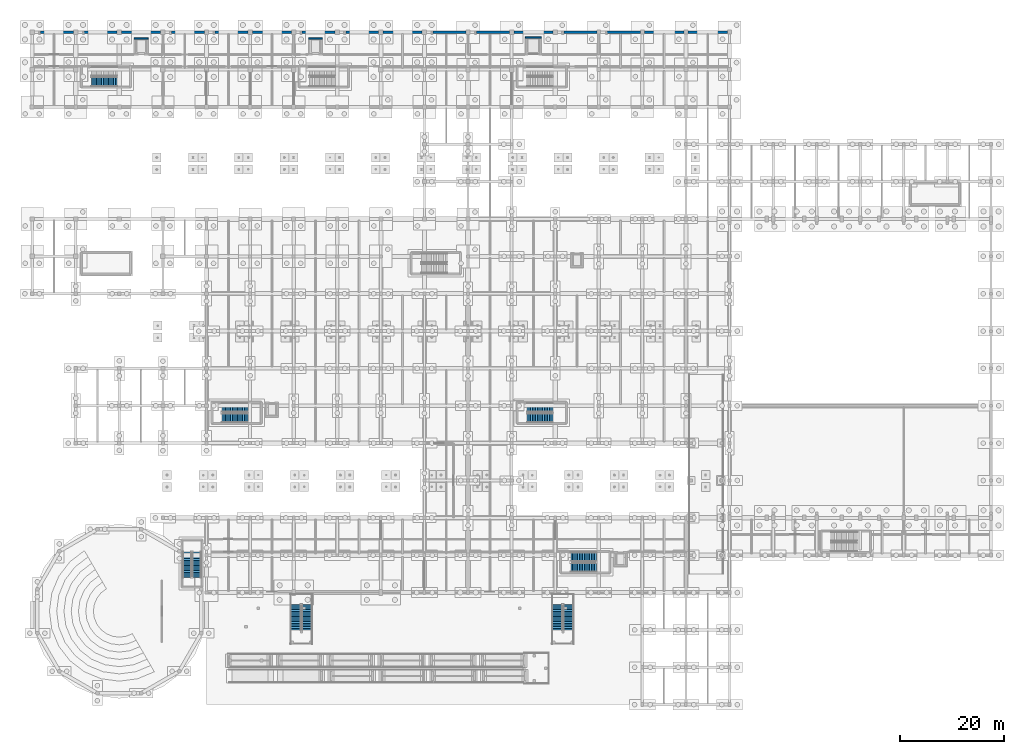
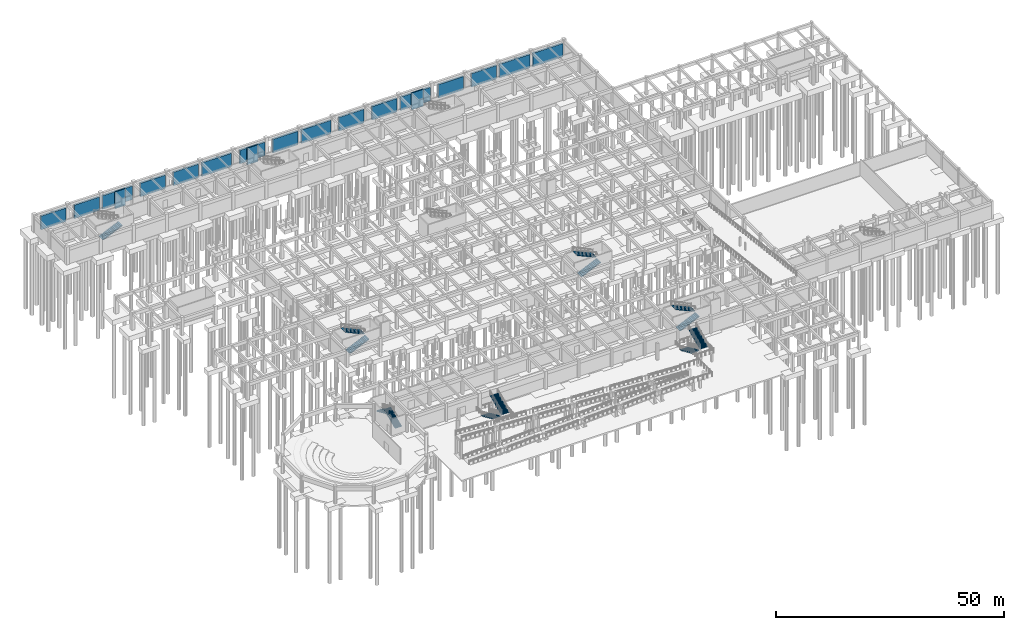
# One storey, part 65 of 80: 19 walls, 13 stair flights, 7 elements without a shape of their own.
"""IFC4 building model written with IfcOpenShell, lengths in metres."""

from ifc_helpers import new_model, si_unit, direction, frame, frame_2d, origin, place, context, subcontext, project, spatial, polyline, rectangle, outline, extrude, material, layer, layer_set, type_object, element, aggregate, save


model = new_model("IFC4")

# Units and contexts
model_context = context("Model", 3, precision=1e-05, world=origin(), true_north=direction((0.0, 1.0)))
body_context = subcontext(model_context, "Body", "Model", "MODEL_VIEW")
ifc_project = project(units=[si_unit("LENGTHUNIT", "METRE"), si_unit("AREAUNIT", "SQUARE_METRE"), si_unit("VOLUMEUNIT", "CUBIC_METRE"), si_unit("PLANEANGLEUNIT", "RADIAN"), si_unit("MASSUNIT", "GRAM", prefix="KILO")], contexts=[model_context])

# Site, building, storey
site_placement = place(None, origin())
site = spatial("IfcSite", under=ifc_project, at=site_placement, CompositionType="ELEMENT")
building_placement = place(site_placement, origin())
building = spatial("IfcBuilding", under=site, at=building_placement, Name="Malvenik Polytechnic", CompositionType="ELEMENT")
storey_placement = place(building_placement, frame((0.0, 0.0, -4.800048828125)))
storey = spatial("IfcBuildingStorey", under=building, at=storey_placement, Name="B1", CompositionType="ELEMENT", Elevation=-4.800048828125)

# Walls
ifc_material = material(Name="Concrete C35/45", Category="concrete")
ifc_layer_1 = layer(ifc_material, 0.280029296875)
ifc_layer_set_1 = layer_set([ifc_layer_1], Name="Concrete C35/45")
wall_type_1 = type_object("IfcWallType", Name="ARC-CW-S280", PredefinedType="SHEAR", material=ifc_layer_set_1)
wall_1_placement = place(storey_placement, frame((19.659912109375, 128.35009765625, 0.0), z_axis=(0.0, 0.0, 1.0), x_axis=(1.0, 0.0, 0.0)))
element("IfcWall", 1, at=wall_1_placement, inside=storey, type_object=wall_type_1, Name="Lift Shaft Shear Wall LS-01 B1 +Y", PredefinedType="SHEAR", context=body_context, shape_type="SweptSolid", body=[
    extrude(rectangle(XDim=2.68017578125, YDim=0.280029296875, at=frame_2d((1.340087890625, 0.0))), origin(), (0.0, 0.0, 1.0), 4.5),
])
wall_2_placement = place(storey_placement, frame((53.260009765625, 128.35009765625, 0.0), z_axis=(0.0, 0.0, 1.0), x_axis=(1.0, 0.0, 0.0)))
element("IfcWall", 2, at=wall_2_placement, inside=storey, type_object=wall_type_1, Name="Lift Shaft Shear Wall LS-02 B1 +Y", PredefinedType="SHEAR", context=body_context, shape_type="SweptSolid", body=[
    extrude(rectangle(XDim=2.679931640625, YDim=0.280029296875, at=frame_2d((1.33984375, 0.0))), origin(), (0.0, 0.0, 1.0), 4.5),
])
wall_3_placement = place(storey_placement, frame((95.06005859375, 128.550048828125, 0.0), z_axis=(0.0, 0.0, 1.0), x_axis=(1.0, 0.0, 0.0)))
element("IfcWall", 3, at=wall_3_placement, inside=storey, type_object=wall_type_1, Name="Lift Shaft Shear Wall LG-01 B1 +Y", PredefinedType="SHEAR", context=body_context, shape_type="SweptSolid", body=[
    extrude(rectangle(XDim=3.079833984375, YDim=0.280029296875, at=frame_2d((1.5400390625, 0.0))), origin(), (0.0, 0.0, 1.0), 4.5),
])
ifc_layer_2 = layer(ifc_material, 0.449951171875)
ifc_layer_set_2 = layer_set([ifc_layer_2], Name="Concrete C35/45")
wall_type_2 = type_object("IfcWallType", Name="STR-WL-RET-450", PredefinedType="SHEAR", material=ifc_layer_set_2)
wall_4_placement = place(storey_placement, frame((1.625, 129.60009765625, 0.0), z_axis=(0.0, 0.0, 1.0), x_axis=(1.0, 0.0, 0.0)))
element("IfcWall", 4, at=wall_4_placement, inside=storey, type_object=wall_type_2, Name="Basement Retaining Wall RW-450 #1", PredefinedType="SHEAR", context=body_context, shape_type="SweptSolid", body=[
    extrude(rectangle(XDim=6.344970703125, YDim=0.449951171875, at=frame_2d((3.17236328125, 0.0))), origin(), (0.0, 0.0, 1.0), 3.64013671875),
])
wall_5_placement = place(storey_placement, frame((10.014892578125, 129.60009765625, 0.0), z_axis=(0.0, 0.0, 1.0), x_axis=(1.0, 0.0, 0.0)))
element("IfcWall", 5, at=wall_5_placement, inside=storey, type_object=wall_type_2, Name="Basement Retaining Wall RW-450 #2", PredefinedType="SHEAR", context=body_context, shape_type="SweptSolid", body=[
    extrude(rectangle(XDim=6.355224609375, YDim=0.449951171875, at=frame_2d((3.177734375, 0.0))), origin(), (0.0, 0.0, 1.0), 3.64013671875),
])
wall_6_placement = place(storey_placement, frame((17.22998046875, 129.60009765625, 0.0), z_axis=(0.0, 0.0, 1.0), x_axis=(1.0, 0.0, 0.0)))
element("IfcWall", 6, at=wall_6_placement, inside=storey, type_object=wall_type_2, Name="Basement Retaining Wall RW-450 #3", PredefinedType="SHEAR", context=body_context, shape_type="SweptSolid", body=[
    extrude(rectangle(XDim=7.5400390625, YDim=0.449951171875, at=frame_2d((3.77001953125, 0.0))), origin(), (0.0, 0.0, 1.0), 3.64013671875),
])
wall_7_placement = place(storey_placement, frame((26.85009765625, 129.60009765625, 0.0), z_axis=(0.0, 0.0, 1.0), x_axis=(1.0, 0.0, 0.0)))
element("IfcWall", 7, at=wall_7_placement, inside=storey, type_object=wall_type_2, Name="Basement Retaining Wall RW-450 #4", PredefinedType="SHEAR", context=body_context, shape_type="SweptSolid", body=[
    extrude(rectangle(XDim=6.31982421875, YDim=0.449951171875, at=frame_2d((3.159912109375, 0.0))), origin(), (0.0, 0.0, 1.0), 3.64013671875),
])
wall_8_placement = place(storey_placement, frame((35.22509765625, 129.60009765625, 0.0), z_axis=(0.0, 0.0, 1.0), x_axis=(1.0, 0.0, 0.0)))
element("IfcWall", 8, at=wall_8_placement, inside=storey, type_object=wall_type_2, Name="Basement Retaining Wall RW-450 #5", PredefinedType="SHEAR", context=body_context, shape_type="SweptSolid", body=[
    extrude(rectangle(XDim=6.344970703125, YDim=0.449951171875, at=frame_2d((3.17236328125, 0.0))), origin(), (0.0, 0.0, 1.0), 3.64013671875),
])
wall_9_placement = place(storey_placement, frame((42.429931640625, 129.60009765625, 0.0), z_axis=(0.0, 0.0, 1.0), x_axis=(1.0, 0.0, 0.0)))
element("IfcWall", 9, at=wall_9_placement, inside=storey, type_object=wall_type_2, Name="Basement Retaining Wall RW-450 #6", PredefinedType="SHEAR", context=body_context, shape_type="SweptSolid", body=[
    extrude(rectangle(XDim=7.5400390625, YDim=0.449951171875, at=frame_2d((3.77001953125, 0.0))), origin(), (0.0, 0.0, 1.0), 3.64013671875),
])
wall_10_placement = place(storey_placement, frame((52.014892578125, 129.60009765625, 0.0), z_axis=(0.0, 0.0, 1.0), x_axis=(1.0, 0.0, 0.0)))
element("IfcWall", 10, at=wall_10_placement, inside=storey, type_object=wall_type_2, Name="Basement Retaining Wall RW-450 #7", PredefinedType="SHEAR", context=body_context, shape_type="SweptSolid", body=[
    extrude(rectangle(XDim=6.355224609375, YDim=0.449951171875, at=frame_2d((3.177734375, 0.0))), origin(), (0.0, 0.0, 1.0), 3.64013671875),
])
wall_11_placement = place(storey_placement, frame((60.449951171875, 129.60009765625, 0.0), z_axis=(0.0, 0.0, 1.0), x_axis=(1.0, 0.0, 0.0)))
element("IfcWall", 11, at=wall_11_placement, inside=storey, type_object=wall_type_2, Name="Basement Retaining Wall RW-450 #8", PredefinedType="SHEAR", context=body_context, shape_type="SweptSolid", body=[
    extrude(rectangle(XDim=6.320068359375, YDim=0.449951171875, at=frame_2d((3.16015625, 0.0))), origin(), (0.0, 0.0, 1.0), 3.64013671875),
])
wall_12_placement = place(storey_placement, frame((67.6298828125, 129.60009765625, 0.0), z_axis=(0.0, 0.0, 1.0), x_axis=(1.0, 0.0, 0.0)))
element("IfcWall", 12, at=wall_12_placement, inside=storey, type_object=wall_type_2, Name="Basement Retaining Wall RW-450 #9", PredefinedType="SHEAR", context=body_context, shape_type="SweptSolid", body=[
    extrude(rectangle(XDim=7.5400390625, YDim=0.449951171875, at=frame_2d((3.77001953125, 0.0))), origin(), (0.0, 0.0, 1.0), 3.64013671875),
])
wall_13_placement = place(storey_placement, frame((77.22509765625, 129.60009765625, 0.0), z_axis=(0.0, 0.0, 1.0), x_axis=(1.0, 0.0, 0.0)))
element("IfcWall", 13, at=wall_13_placement, inside=storey, type_object=wall_type_2, Name="Basement Retaining Wall RW-450 #10", PredefinedType="SHEAR", context=body_context, shape_type="SweptSolid", body=[
    extrude(rectangle(XDim=6.344970703125, YDim=0.449951171875, at=frame_2d((3.17236328125, 0.0))), origin(), (0.0, 0.0, 1.0), 3.64013671875),
])
wall_14_placement = place(storey_placement, frame((85.614990234375, 129.60009765625, 0.0), z_axis=(0.0, 0.0, 1.0), x_axis=(1.0, 0.0, 0.0)))
element("IfcWall", 14, at=wall_14_placement, inside=storey, type_object=wall_type_2, Name="Basement Retaining Wall RW-450 #11", PredefinedType="SHEAR", context=body_context, shape_type="SweptSolid", body=[
    extrude(rectangle(XDim=6.35498046875, YDim=0.449951171875, at=frame_2d((3.177490234375, 0.0))), origin(), (0.0, 0.0, 1.0), 3.64013671875),
])
wall_15_placement = place(storey_placement, frame((92.830078125, 129.60009765625, 0.0), z_axis=(0.0, 0.0, 1.0), x_axis=(1.0, 0.0, 0.0)))
element("IfcWall", 15, at=wall_15_placement, inside=storey, type_object=wall_type_2, Name="Basement Retaining Wall RW-450 #12", PredefinedType="SHEAR", context=body_context, shape_type="SweptSolid", body=[
    extrude(rectangle(XDim=7.5400390625, YDim=0.449951171875, at=frame_2d((3.77001953125, 0.0))), origin(), (0.0, 0.0, 1.0), 3.64013671875),
])
wall_16_placement = place(storey_placement, frame((102.449951171875, 129.60009765625, 0.0), z_axis=(0.0, 0.0, 1.0), x_axis=(1.0, 0.0, 0.0)))
element("IfcWall", 16, at=wall_16_placement, inside=storey, type_object=wall_type_2, Name="Basement Retaining Wall RW-450 #13", PredefinedType="SHEAR", context=body_context, shape_type="SweptSolid", body=[
    extrude(rectangle(XDim=6.3701171875, YDim=0.449951171875, at=frame_2d((3.18505859375, 0.0))), origin(), (0.0, 0.0, 1.0), 3.64013671875),
])
wall_17_placement = place(storey_placement, frame((110.824951171875, 129.60009765625, 0.0), z_axis=(0.0, 0.0, 1.0), x_axis=(1.0, 0.0, 0.0)))
element("IfcWall", 17, at=wall_17_placement, inside=storey, type_object=wall_type_2, Name="Basement Retaining Wall RW-450 #14", PredefinedType="SHEAR", context=body_context, shape_type="SweptSolid", body=[
    extrude(rectangle(XDim=6.39501953125, YDim=0.449951171875, at=frame_2d((3.197509765625, 0.0))), origin(), (0.0, 0.0, 1.0), 3.64013671875),
])
for number, where, z_axis, x_axis, name in (
    (18, (117.97998046875, 129.60009765625, 0.0), (0.0, 0.0, 1.0), (1.0, 0.0, 0.0), "Basement Retaining Wall RW-450 #15"),
    (19, (126.3798828125, 129.60009765625, 0.0), (0.0, 0.0, 1.0), (1.0, 0.0, 0.0), "Basement Retaining Wall RW-450 #16"),
):
    element("IfcWall", number, at=place(storey_placement, frame(where, z_axis=z_axis, x_axis=x_axis)), inside=storey, type_object=wall_type_2, Name=name, PredefinedType="SHEAR", context=body_context, shape_type="SweptSolid", body=[
        extrude(rectangle(XDim=7.64013671875, YDim=0.449951171875, at=frame_2d((3.820068359375, 0.0))), origin(), (0.0, 0.0, 1.0), 3.64013671875),
    ])

# Stair, stair flights
stair_type_1 = type_object("IfcStairType", Name="ARC-STR-ST-09", PredefinedType="HALF_TURN_STAIR", material=ifc_material)
stair_1_placement = place(storey_placement, origin())
stair_1 = element("IfcStair", 20, at=stair_1_placement, inside=storey, type_object=stair_type_1, Name="B1 Escape Stair ST-09", PredefinedType="HALF_TURN_STAIR")
ifc_layer_3 = layer(ifc_material, 0.159912109375)
ifc_layer_set_3 = layer_set([ifc_layer_3], Name="Concrete C35/45")
stair_flight_type_1 = type_object("IfcStairFlightType", Name="ARC-SFL-SFL-170A", PredefinedType="STRAIGHT", material=ifc_layer_set_3)
stair_flight_1_placement = place(storey_placement, frame((31.75, 24.5, 0.0), z_axis=(0.0, 0.0, 1.0), x_axis=(0.0, 1.0, 0.0)))
stair_flight_1 = element("IfcStairFlight", 21, at=stair_flight_1_placement, type_object=stair_flight_type_1, Name="ST-09 flight 1", NumberOfRisers=16, NumberOfTreads=15, PredefinedType="STRAIGHT", RiserHeight=0.15, TreadLength=0.33, context=body_context, shape_type="SweptSolid", body=[
    extrude(outline(polyline([(0.0, 0.0), (0.0, 0.14990234375), (0.330078125, 0.14990234375), (0.330078125, 0.300048828125), (0.659912109375, 0.300048828125), (0.659912109375, 0.449951171875), (0.989990234375, 0.449951171875), (0.989990234375, 0.60009765625), (1.320068359375, 0.60009765625), (1.320068359375, 0.75), (1.64990234375, 0.75), (1.64990234375, 0.89990234375), (1.97998046875, 0.89990234375), (1.97998046875, 1.050048828125), (2.31005859375, 1.050048828125), (2.31005859375, 1.199951171875), (2.639892578125, 1.199951171875), (2.639892578125, 1.35009765625), (2.969970703125, 1.35009765625), (2.969970703125, 1.5), (3.300048828125, 1.5), (3.300048828125, 1.64990234375), (3.6298828125, 1.64990234375), (3.6298828125, 1.800048828125), (3.9599609375, 1.800048828125), (3.9599609375, 1.949951171875), (4.2900390625, 1.949951171875), (4.2900390625, 2.10009765625), (4.6201171875, 2.10009765625), (4.6201171875, 2.25), (4.949951171875, 2.25), (4.949951171875, 2.39990234375), (4.949951171875, 2.074462890625), (0.386474609375, 0.0), (0.0, 0.0)])), frame((0.0, 0.85009765625, 0.0), z_axis=(0.0, -1.0, 0.0), x_axis=(1.0, 0.0, 0.0)), (0.0, 0.0, 1.0), 1.699951171875),
])
stair_flight_2_placement = place(storey_placement, frame((29.85009765625, 29.449951171875, 2.400146484375), z_axis=(0.0, 0.0, 1.0), x_axis=(0.0, -1.0, 0.0)))
stair_flight_2 = element("IfcStairFlight", 22, at=stair_flight_2_placement, type_object=stair_flight_type_1, Name="ST-09 flight 2", NumberOfRisers=16, NumberOfTreads=15, PredefinedType="STRAIGHT", RiserHeight=0.15, TreadLength=0.33, context=body_context, shape_type="SweptSolid", body=[
    extrude(outline(polyline([(0.0, 0.0), (0.0, 0.14990234375), (0.330078125, 0.14990234375), (0.330078125, 0.300048828125), (0.659912109375, 0.300048828125), (0.659912109375, 0.449951171875), (0.989990234375, 0.449951171875), (0.989990234375, 0.60009765625), (1.320068359375, 0.60009765625), (1.320068359375, 0.75), (1.64990234375, 0.75), (1.64990234375, 0.89990234375), (1.97998046875, 0.89990234375), (1.97998046875, 1.050048828125), (2.31005859375, 1.050048828125), (2.31005859375, 1.199951171875), (2.639892578125, 1.199951171875), (2.639892578125, 1.35009765625), (2.969970703125, 1.35009765625), (2.969970703125, 1.5), (3.300048828125, 1.5), (3.300048828125, 1.64990234375), (3.6298828125, 1.64990234375), (3.6298828125, 1.800048828125), (3.9599609375, 1.800048828125), (3.9599609375, 1.949951171875), (4.2900390625, 1.949951171875), (4.2900390625, 2.10009765625), (4.6201171875, 2.10009765625), (4.6201171875, 2.25), (4.949951171875, 2.25), (4.949951171875, 2.39990234375), (4.949951171875, 2.074462890625), (0.386474609375, 0.0), (0.0, 0.0)])), frame((0.0, 0.85009765625, 0.0), z_axis=(0.0, -1.0, 0.0), x_axis=(1.0, 0.0, 0.0)), (0.0, 0.0, 1.0), 1.699951171875),
])
aggregate(stair_1, [stair_flight_1, stair_flight_2])

# Stair, stair flight
stair_type_2 = type_object("IfcStairType", Name="ARC-STR-ST-01", PredefinedType="HALF_TURN_STAIR", material=ifc_material)
stair_2_placement = place(storey_placement, origin())
stair_2 = element("IfcStair", 23, at=stair_2_placement, inside=storey, type_object=stair_type_2, Name="B1 Escape Stair ST-01", PredefinedType="HALF_TURN_STAIR")
ifc_layer_4 = layer(ifc_material, 0.159912109375)
ifc_layer_set_4 = layer_set([ifc_layer_4], Name="Concrete C35/45")
stair_flight_type_2 = type_object("IfcStairFlightType", Name="ARC-SFL-SFL-180A", PredefinedType="STRAIGHT", material=ifc_layer_set_4)
stair_flight_3_placement = place(storey_placement, frame((11.39990234375, 120.050048828125, 0.0), z_axis=(0.0, 0.0, 1.0), x_axis=(1.0, 0.0, 0.0)))
stair_flight_3 = element("IfcStairFlight", 24, at=stair_flight_3_placement, type_object=stair_flight_type_2, Name="ST-01 flight 1", NumberOfRisers=16, NumberOfTreads=15, PredefinedType="STRAIGHT", RiserHeight=0.15, TreadLength=0.33, context=body_context, shape_type="SweptSolid", body=[
    extrude(outline(polyline([(0.0, 0.0), (0.0, 0.14990234375), (0.330078125, 0.14990234375), (0.330078125, 0.300048828125), (0.659912109375, 0.300048828125), (0.659912109375, 0.449951171875), (0.989990234375, 0.449951171875), (0.989990234375, 0.60009765625), (1.320068359375, 0.60009765625), (1.320068359375, 0.75), (1.64990234375, 0.75), (1.64990234375, 0.89990234375), (1.97998046875, 0.89990234375), (1.97998046875, 1.050048828125), (2.31005859375, 1.050048828125), (2.31005859375, 1.199951171875), (2.639892578125, 1.199951171875), (2.639892578125, 1.35009765625), (2.969970703125, 1.35009765625), (2.969970703125, 1.5), (3.300048828125, 1.5), (3.300048828125, 1.64990234375), (3.6298828125, 1.64990234375), (3.6298828125, 1.800048828125), (3.9599609375, 1.800048828125), (3.9599609375, 1.949951171875), (4.2900390625, 1.949951171875), (4.2900390625, 2.10009765625), (4.6201171875, 2.10009765625), (4.6201171875, 2.25), (4.949951171875, 2.25), (4.949951171875, 2.39990234375), (4.949951171875, 2.074462890625), (0.386474609375, 0.0), (0.0, 0.0)])), frame((0.0, 0.89990234375, 0.0), z_axis=(0.0, -1.0, 0.0), x_axis=(1.0, 0.0, 0.0)), (0.0, 0.0, 1.0), 1.800048828125),
])
aggregate(stair_2, [stair_flight_3])

# Stair, stair flights
stair_type_3 = type_object("IfcStairType", Name="ARC-STR-ST-07", PredefinedType="HALF_TURN_STAIR", material=ifc_material)
stair_3_placement = place(storey_placement, origin())
stair_3 = element("IfcStair", 25, at=stair_3_placement, inside=storey, type_object=stair_type_3, Name="B1 Escape Stair ST-07", PredefinedType="HALF_TURN_STAIR")
stair_flight_4_placement = place(storey_placement, frame((95.39990234375, 55.25, 0.0), z_axis=(0.0, 0.0, 1.0), x_axis=(1.0, 0.0, 0.0)))
stair_flight_4 = element("IfcStairFlight", 26, at=stair_flight_4_placement, type_object=stair_flight_type_2, Name="ST-07 flight 1", NumberOfRisers=16, NumberOfTreads=15, PredefinedType="STRAIGHT", RiserHeight=0.15, TreadLength=0.33, context=body_context, shape_type="SweptSolid", body=[
    extrude(outline(polyline([(0.0, 0.0), (0.0, 0.14990234375), (0.330078125, 0.14990234375), (0.330078125, 0.300048828125), (0.659912109375, 0.300048828125), (0.659912109375, 0.449951171875), (0.989990234375, 0.449951171875), (0.989990234375, 0.60009765625), (1.320068359375, 0.60009765625), (1.320068359375, 0.75), (1.64990234375, 0.75), (1.64990234375, 0.89990234375), (1.97998046875, 0.89990234375), (1.97998046875, 1.050048828125), (2.31005859375, 1.050048828125), (2.31005859375, 1.199951171875), (2.639892578125, 1.199951171875), (2.639892578125, 1.35009765625), (2.969970703125, 1.35009765625), (2.969970703125, 1.5), (3.300048828125, 1.5), (3.300048828125, 1.64990234375), (3.6298828125, 1.64990234375), (3.6298828125, 1.800048828125), (3.9599609375, 1.800048828125), (3.9599609375, 1.949951171875), (4.2900390625, 1.949951171875), (4.2900390625, 2.10009765625), (4.6201171875, 2.10009765625), (4.6201171875, 2.25), (4.949951171875, 2.25), (4.949951171875, 2.39990234375), (4.949951171875, 2.074462890625), (0.386474609375, 0.0), (0.0, 0.0)])), frame((0.0, 0.89990234375, 0.0), z_axis=(0.0, -1.0, 0.0), x_axis=(1.0, 0.0, 0.0)), (0.0, 0.0, 1.0), 1.800048828125),
])
stair_flight_5_placement = place(storey_placement, frame((100.35009765625, 57.25, 2.400146484375), z_axis=(0.0, 0.0, 1.0), x_axis=(-1.0, 0.0, 0.0)))
stair_flight_5 = element("IfcStairFlight", 27, at=stair_flight_5_placement, type_object=stair_flight_type_2, Name="ST-07 flight 2", NumberOfRisers=16, NumberOfTreads=15, PredefinedType="STRAIGHT", RiserHeight=0.15, TreadLength=0.33, context=body_context, shape_type="SweptSolid", body=[
    extrude(outline(polyline([(0.0, 0.0), (0.0, 0.14990234375), (0.330078125, 0.14990234375), (0.330078125, 0.300048828125), (0.659912109375, 0.300048828125), (0.659912109375, 0.449951171875), (0.989990234375, 0.449951171875), (0.989990234375, 0.60009765625), (1.320068359375, 0.60009765625), (1.320068359375, 0.75), (1.64990234375, 0.75), (1.64990234375, 0.89990234375), (1.97998046875, 0.89990234375), (1.97998046875, 1.050048828125), (2.31005859375, 1.050048828125), (2.31005859375, 1.199951171875), (2.639892578125, 1.199951171875), (2.639892578125, 1.35009765625), (2.969970703125, 1.35009765625), (2.969970703125, 1.5), (3.300048828125, 1.5), (3.300048828125, 1.64990234375), (3.6298828125, 1.64990234375), (3.6298828125, 1.800048828125), (3.9599609375, 1.800048828125), (3.9599609375, 1.949951171875), (4.2900390625, 1.949951171875), (4.2900390625, 2.10009765625), (4.6201171875, 2.10009765625), (4.6201171875, 2.25), (4.949951171875, 2.25), (4.949951171875, 2.39990234375), (4.949951171875, 2.074462890625), (0.386474609375, 0.0), (0.0, 0.0)])), frame((0.0, 0.89990234375, 0.0), z_axis=(0.0, -1.0, 0.0), x_axis=(1.0, 0.0, 0.0)), (0.0, 0.0, 1.0), 1.800048828125),
])
aggregate(stair_3, [stair_flight_4, stair_flight_5])

stair_type_4 = type_object("IfcStairType", Name="ARC-STR-ST-06", PredefinedType="HALF_TURN_STAIR", material=ifc_material)
stair_4_placement = place(storey_placement, origin())
stair_4 = element("IfcStair", 28, at=stair_4_placement, inside=storey, type_object=stair_type_4, Name="B1 Escape Stair ST-06", PredefinedType="HALF_TURN_STAIR")
ifc_layer_5 = layer(ifc_material, 0.179931640625)
ifc_layer_set_5 = layer_set([ifc_layer_5], Name="Concrete C35/45")
stair_flight_type_3 = type_object("IfcStairFlightType", Name="ARC-SFL-SFL-180B", PredefinedType="STRAIGHT", material=ifc_layer_set_5)
stair_flight_6_placement = place(storey_placement, frame((36.60009765625, 55.25, 0.0), z_axis=(0.0, 0.0, 1.0), x_axis=(1.0, 0.0, 0.0)))
stair_flight_6 = element("IfcStairFlight", 29, at=stair_flight_6_placement, type_object=stair_flight_type_3, Name="ST-06 flight 1", NumberOfRisers=16, NumberOfTreads=15, PredefinedType="STRAIGHT", RiserHeight=0.15, TreadLength=0.33, context=body_context, shape_type="SweptSolid", body=[
    extrude(outline(polyline([(0.0, 0.0), (0.0, 0.14990234375), (0.330078125, 0.14990234375), (0.330078125, 0.300048828125), (0.659912109375, 0.300048828125), (0.659912109375, 0.449951171875), (0.989990234375, 0.449951171875), (0.989990234375, 0.60009765625), (1.320068359375, 0.60009765625), (1.320068359375, 0.75), (1.64990234375, 0.75), (1.64990234375, 0.89990234375), (1.97998046875, 0.89990234375), (1.97998046875, 1.050048828125), (2.31005859375, 1.050048828125), (2.31005859375, 1.199951171875), (2.639892578125, 1.199951171875), (2.639892578125, 1.35009765625), (2.969970703125, 1.35009765625), (2.969970703125, 1.5), (3.300048828125, 1.5), (3.300048828125, 1.64990234375), (3.6298828125, 1.64990234375), (3.6298828125, 1.800048828125), (3.9599609375, 1.800048828125), (3.9599609375, 1.949951171875), (4.2900390625, 1.949951171875), (4.2900390625, 2.10009765625), (4.6201171875, 2.10009765625), (4.6201171875, 2.25), (4.949951171875, 2.25), (4.949951171875, 2.39990234375), (4.949951171875, 2.074462890625), (0.386474609375, 0.0), (0.0, 0.0)])), frame((0.0, 0.89990234375, 0.0), z_axis=(0.0, -1.0, 0.0), x_axis=(1.0, 0.0, 0.0)), (0.0, 0.0, 1.0), 1.800048828125),
])
stair_flight_7_placement = place(storey_placement, frame((41.550048828125, 57.25, 2.400146484375), z_axis=(0.0, 0.0, 1.0), x_axis=(-1.0, 0.0, 0.0)))
stair_flight_7 = element("IfcStairFlight", 30, at=stair_flight_7_placement, type_object=stair_flight_type_3, Name="ST-06 flight 2", NumberOfRisers=16, NumberOfTreads=15, PredefinedType="STRAIGHT", RiserHeight=0.15, TreadLength=0.33, context=body_context, shape_type="SweptSolid", body=[
    extrude(outline(polyline([(0.0, 0.0), (0.0, 0.14990234375), (0.330078125, 0.14990234375), (0.330078125, 0.300048828125), (0.659912109375, 0.300048828125), (0.659912109375, 0.449951171875), (0.989990234375, 0.449951171875), (0.989990234375, 0.60009765625), (1.320068359375, 0.60009765625), (1.320068359375, 0.75), (1.64990234375, 0.75), (1.64990234375, 0.89990234375), (1.97998046875, 0.89990234375), (1.97998046875, 1.050048828125), (2.31005859375, 1.050048828125), (2.31005859375, 1.199951171875), (2.639892578125, 1.199951171875), (2.639892578125, 1.35009765625), (2.969970703125, 1.35009765625), (2.969970703125, 1.5), (3.300048828125, 1.5), (3.300048828125, 1.64990234375), (3.6298828125, 1.64990234375), (3.6298828125, 1.800048828125), (3.9599609375, 1.800048828125), (3.9599609375, 1.949951171875), (4.2900390625, 1.949951171875), (4.2900390625, 2.10009765625), (4.6201171875, 2.10009765625), (4.6201171875, 2.25), (4.949951171875, 2.25), (4.949951171875, 2.39990234375), (4.949951171875, 2.074462890625), (0.386474609375, 0.0), (0.0, 0.0)])), frame((0.0, 0.89990234375, 0.0), z_axis=(0.0, -1.0, 0.0), x_axis=(1.0, 0.0, 0.0)), (0.0, 0.0, 1.0), 1.800048828125),
])
aggregate(stair_4, [stair_flight_6, stair_flight_7])

stair_type_5 = type_object("IfcStairType", Name="ARC-STR-ST-08", PredefinedType="HALF_TURN_STAIR", material=ifc_material)
stair_5_placement = place(storey_placement, origin())
stair_5 = element("IfcStair", 31, at=stair_5_placement, inside=storey, type_object=stair_type_5, Name="B1 Escape Stair ST-08", PredefinedType="HALF_TURN_STAIR")
stair_flight_8_placement = place(storey_placement, frame((103.800048828125, 26.449951171875, 0.0), z_axis=(0.0, 0.0, 1.0), x_axis=(1.0, 0.0, 0.0)))
stair_flight_8 = element("IfcStairFlight", 32, at=stair_flight_8_placement, type_object=stair_flight_type_3, Name="ST-08 flight 1", NumberOfRisers=16, NumberOfTreads=15, PredefinedType="STRAIGHT", RiserHeight=0.15, TreadLength=0.33, context=body_context, shape_type="SweptSolid", body=[
    extrude(outline(polyline([(0.0, 0.0), (0.0, 0.14990234375), (0.330078125, 0.14990234375), (0.330078125, 0.300048828125), (0.659912109375, 0.300048828125), (0.659912109375, 0.449951171875), (0.989990234375, 0.449951171875), (0.989990234375, 0.60009765625), (1.320068359375, 0.60009765625), (1.320068359375, 0.75), (1.64990234375, 0.75), (1.64990234375, 0.89990234375), (1.97998046875, 0.89990234375), (1.97998046875, 1.050048828125), (2.31005859375, 1.050048828125), (2.31005859375, 1.199951171875), (2.639892578125, 1.199951171875), (2.639892578125, 1.35009765625), (2.969970703125, 1.35009765625), (2.969970703125, 1.5), (3.300048828125, 1.5), (3.300048828125, 1.64990234375), (3.6298828125, 1.64990234375), (3.6298828125, 1.800048828125), (3.9599609375, 1.800048828125), (3.9599609375, 1.949951171875), (4.2900390625, 1.949951171875), (4.2900390625, 2.10009765625), (4.6201171875, 2.10009765625), (4.6201171875, 2.25), (4.949951171875, 2.25), (4.949951171875, 2.39990234375), (4.949951171875, 2.074462890625), (0.386474609375, 0.0), (0.0, 0.0)])), frame((0.0, 0.89990234375, 0.0), z_axis=(0.0, -1.0, 0.0), x_axis=(1.0, 0.0, 0.0)), (0.0, 0.0, 1.0), 1.800048828125),
])
stair_flight_9_placement = place(storey_placement, frame((108.75, 28.449951171875, 2.400146484375), z_axis=(0.0, 0.0, 1.0), x_axis=(-1.0, 0.0, 0.0)))
stair_flight_9 = element("IfcStairFlight", 33, at=stair_flight_9_placement, type_object=stair_flight_type_3, Name="ST-08 flight 2", NumberOfRisers=16, NumberOfTreads=15, PredefinedType="STRAIGHT", RiserHeight=0.15, TreadLength=0.33, context=body_context, shape_type="SweptSolid", body=[
    extrude(outline(polyline([(0.0, 0.0), (0.0, 0.14990234375), (0.330078125, 0.14990234375), (0.330078125, 0.300048828125), (0.659912109375, 0.300048828125), (0.659912109375, 0.449951171875), (0.989990234375, 0.449951171875), (0.989990234375, 0.60009765625), (1.320068359375, 0.60009765625), (1.320068359375, 0.75), (1.64990234375, 0.75), (1.64990234375, 0.89990234375), (1.97998046875, 0.89990234375), (1.97998046875, 1.050048828125), (2.31005859375, 1.050048828125), (2.31005859375, 1.199951171875), (2.639892578125, 1.199951171875), (2.639892578125, 1.35009765625), (2.969970703125, 1.35009765625), (2.969970703125, 1.5), (3.300048828125, 1.5), (3.300048828125, 1.64990234375), (3.6298828125, 1.64990234375), (3.6298828125, 1.800048828125), (3.9599609375, 1.800048828125), (3.9599609375, 1.949951171875), (4.2900390625, 1.949951171875), (4.2900390625, 2.10009765625), (4.6201171875, 2.10009765625), (4.6201171875, 2.25), (4.949951171875, 2.25), (4.949951171875, 2.39990234375), (4.949951171875, 2.074462890625), (0.386474609375, 0.0), (0.0, 0.0)])), frame((0.0, 0.89990234375, 0.0), z_axis=(0.0, -1.0, 0.0), x_axis=(1.0, 0.0, 0.0)), (0.0, 0.0, 1.0), 1.800048828125),
])
aggregate(stair_5, [stair_flight_8, stair_flight_9])

stair_type_6 = type_object("IfcStairType", Name="ARC-STR-ST-10", PredefinedType="HALF_TURN_STAIR", material=ifc_material)
stair_6_placement = place(storey_placement, origin())
stair_6 = element("IfcStair", 34, at=stair_6_placement, inside=storey, type_object=stair_type_6, Name="B1 Exterior Forecourt Stair ST-10", PredefinedType="HALF_TURN_STAIR")
ifc_layer_6 = layer(ifc_material, 0.179931640625)
ifc_layer_set_6 = layer_set([ifc_layer_6], Name="Concrete C35/45")
stair_flight_type_4 = type_object("IfcStairFlightType", Name="ARC-SFL-SFL-200A", PredefinedType="STRAIGHT", material=ifc_layer_set_6)
stair_flight_10_placement = place(storey_placement, frame((50.800048828125, 19.300048828125, 0.0), z_axis=(0.0, 0.0, 1.0), x_axis=(0.0, -1.0, 0.0)))
stair_flight_10 = element("IfcStairFlight", 35, at=stair_flight_10_placement, type_object=stair_flight_type_4, Name="ST-10 flight 1", NumberOfRisers=16, NumberOfTreads=15, PredefinedType="STRAIGHT", RiserHeight=0.15, TreadLength=0.33, context=body_context, shape_type="SweptSolid", body=[
    extrude(outline(polyline([(0.0, 0.0), (0.0, 0.14990234375), (0.330078125, 0.14990234375), (0.330078125, 0.300048828125), (0.659912109375, 0.300048828125), (0.659912109375, 0.449951171875), (0.989990234375, 0.449951171875), (0.989990234375, 0.60009765625), (1.320068359375, 0.60009765625), (1.320068359375, 0.75), (1.64990234375, 0.75), (1.64990234375, 0.89990234375), (1.97998046875, 0.89990234375), (1.97998046875, 1.050048828125), (2.31005859375, 1.050048828125), (2.31005859375, 1.199951171875), (2.639892578125, 1.199951171875), (2.639892578125, 1.35009765625), (2.969970703125, 1.35009765625), (2.969970703125, 1.5), (3.300048828125, 1.5), (3.300048828125, 1.64990234375), (3.6298828125, 1.64990234375), (3.6298828125, 1.800048828125), (3.9599609375, 1.800048828125), (3.9599609375, 1.949951171875), (4.2900390625, 1.949951171875), (4.2900390625, 2.10009765625), (4.6201171875, 2.10009765625), (4.6201171875, 2.25), (4.949951171875, 2.25), (4.949951171875, 2.39990234375), (4.949951171875, 2.074462890625), (0.386474609375, 0.0), (0.0, 0.0)])), frame((0.0, 1.0, 0.0), z_axis=(0.0, -1.0, 0.0), x_axis=(1.0, 0.0, 0.0)), (0.0, 0.0, 1.0), 2.0),
])
stair_flight_11_placement = place(storey_placement, frame((53.0, 14.35009765625, 2.400146484375), z_axis=(0.0, 0.0, 1.0), x_axis=(0.0, 1.0, 0.0)))
stair_flight_11 = element("IfcStairFlight", 36, at=stair_flight_11_placement, type_object=stair_flight_type_4, Name="ST-10 flight 2", NumberOfRisers=16, NumberOfTreads=15, PredefinedType="STRAIGHT", RiserHeight=0.15, TreadLength=0.33, context=body_context, shape_type="SweptSolid", body=[
    extrude(outline(polyline([(0.0, 0.0), (0.0, 0.14990234375), (0.330078125, 0.14990234375), (0.330078125, 0.300048828125), (0.659912109375, 0.300048828125), (0.659912109375, 0.449951171875), (0.989990234375, 0.449951171875), (0.989990234375, 0.60009765625), (1.320068359375, 0.60009765625), (1.320068359375, 0.75), (1.64990234375, 0.75), (1.64990234375, 0.89990234375), (1.97998046875, 0.89990234375), (1.97998046875, 1.050048828125), (2.31005859375, 1.050048828125), (2.31005859375, 1.199951171875), (2.639892578125, 1.199951171875), (2.639892578125, 1.35009765625), (2.969970703125, 1.35009765625), (2.969970703125, 1.5), (3.300048828125, 1.5), (3.300048828125, 1.64990234375), (3.6298828125, 1.64990234375), (3.6298828125, 1.800048828125), (3.9599609375, 1.800048828125), (3.9599609375, 1.949951171875), (4.2900390625, 1.949951171875), (4.2900390625, 2.10009765625), (4.6201171875, 2.10009765625), (4.6201171875, 2.25), (4.949951171875, 2.25), (4.949951171875, 2.39990234375), (4.949951171875, 2.074462890625), (0.386474609375, 0.0), (0.0, 0.0)])), frame((0.0, 1.0, 0.0), z_axis=(0.0, -1.0, 0.0), x_axis=(1.0, 0.0, 0.0)), (0.0, 0.0, 1.0), 2.0),
])
aggregate(stair_6, [stair_flight_10, stair_flight_11])

stair_type_7 = type_object("IfcStairType", Name="ARC-STR-ST-11", PredefinedType="HALF_TURN_STAIR", material=ifc_material)
stair_7_placement = place(storey_placement, origin())
stair_7 = element("IfcStair", 37, at=stair_7_placement, inside=storey, type_object=stair_type_7, Name="B1 Exterior Forecourt Stair ST-11", PredefinedType="HALF_TURN_STAIR")
stair_flight_12_placement = place(storey_placement, frame((101.199951171875, 19.300048828125, 0.0), z_axis=(0.0, 0.0, 1.0), x_axis=(0.0, -1.0, 0.0)))
stair_flight_12 = element("IfcStairFlight", 38, at=stair_flight_12_placement, type_object=stair_flight_type_4, Name="ST-11 flight 1", NumberOfRisers=16, NumberOfTreads=15, PredefinedType="STRAIGHT", RiserHeight=0.15, TreadLength=0.33, context=body_context, shape_type="SweptSolid", body=[
    extrude(outline(polyline([(0.0, 0.0), (0.0, 0.14990234375), (0.330078125, 0.14990234375), (0.330078125, 0.300048828125), (0.659912109375, 0.300048828125), (0.659912109375, 0.449951171875), (0.989990234375, 0.449951171875), (0.989990234375, 0.60009765625), (1.320068359375, 0.60009765625), (1.320068359375, 0.75), (1.64990234375, 0.75), (1.64990234375, 0.89990234375), (1.97998046875, 0.89990234375), (1.97998046875, 1.050048828125), (2.31005859375, 1.050048828125), (2.31005859375, 1.199951171875), (2.639892578125, 1.199951171875), (2.639892578125, 1.35009765625), (2.969970703125, 1.35009765625), (2.969970703125, 1.5), (3.300048828125, 1.5), (3.300048828125, 1.64990234375), (3.6298828125, 1.64990234375), (3.6298828125, 1.800048828125), (3.9599609375, 1.800048828125), (3.9599609375, 1.949951171875), (4.2900390625, 1.949951171875), (4.2900390625, 2.10009765625), (4.6201171875, 2.10009765625), (4.6201171875, 2.25), (4.949951171875, 2.25), (4.949951171875, 2.39990234375), (4.949951171875, 2.074462890625), (0.386474609375, 0.0), (0.0, 0.0)])), frame((0.0, 1.0, 0.0), z_axis=(0.0, -1.0, 0.0), x_axis=(1.0, 0.0, 0.0)), (0.0, 0.0, 1.0), 2.0),
])
stair_flight_13_placement = place(storey_placement, frame((103.39990234375, 14.35009765625, 2.400146484375), z_axis=(0.0, 0.0, 1.0), x_axis=(0.0, 1.0, 0.0)))
stair_flight_13 = element("IfcStairFlight", 39, at=stair_flight_13_placement, type_object=stair_flight_type_4, Name="ST-11 flight 2", NumberOfRisers=16, NumberOfTreads=15, PredefinedType="STRAIGHT", RiserHeight=0.15, TreadLength=0.33, context=body_context, shape_type="SweptSolid", body=[
    extrude(outline(polyline([(0.0, 0.0), (0.0, 0.14990234375), (0.330078125, 0.14990234375), (0.330078125, 0.300048828125), (0.659912109375, 0.300048828125), (0.659912109375, 0.449951171875), (0.989990234375, 0.449951171875), (0.989990234375, 0.60009765625), (1.320068359375, 0.60009765625), (1.320068359375, 0.75), (1.64990234375, 0.75), (1.64990234375, 0.89990234375), (1.97998046875, 0.89990234375), (1.97998046875, 1.050048828125), (2.31005859375, 1.050048828125), (2.31005859375, 1.199951171875), (2.639892578125, 1.199951171875), (2.639892578125, 1.35009765625), (2.969970703125, 1.35009765625), (2.969970703125, 1.5), (3.300048828125, 1.5), (3.300048828125, 1.64990234375), (3.6298828125, 1.64990234375), (3.6298828125, 1.800048828125), (3.9599609375, 1.800048828125), (3.9599609375, 1.949951171875), (4.2900390625, 1.949951171875), (4.2900390625, 2.10009765625), (4.6201171875, 2.10009765625), (4.6201171875, 2.25), (4.949951171875, 2.25), (4.949951171875, 2.39990234375), (4.949951171875, 2.074462890625), (0.386474609375, 0.0), (0.0, 0.0)])), frame((0.0, 1.0, 0.0), z_axis=(0.0, -1.0, 0.0), x_axis=(1.0, 0.0, 0.0)), (0.0, 0.0, 1.0), 2.0),
])
aggregate(stair_7, [stair_flight_12, stair_flight_13])

save(model, "model.ifc")
